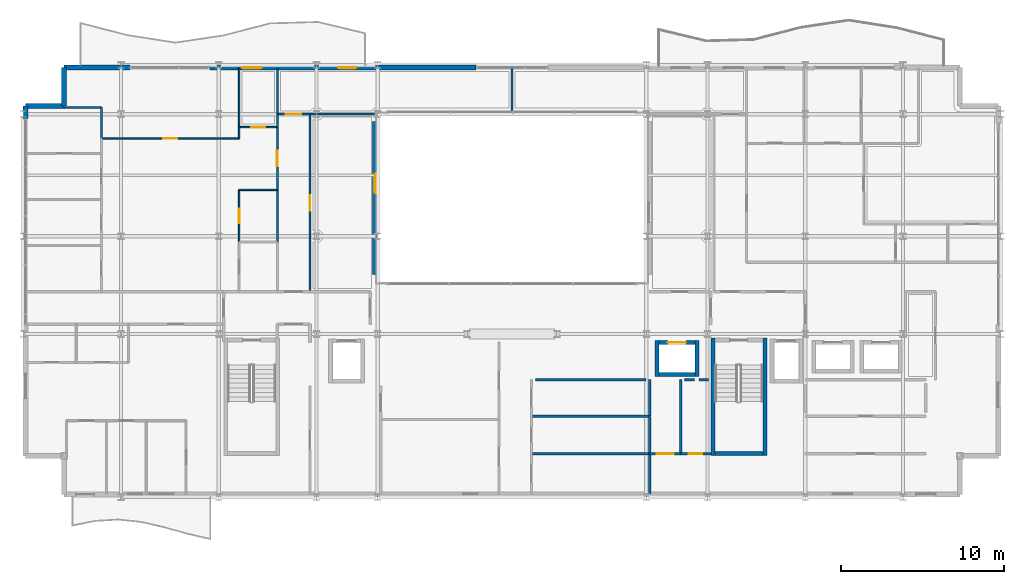
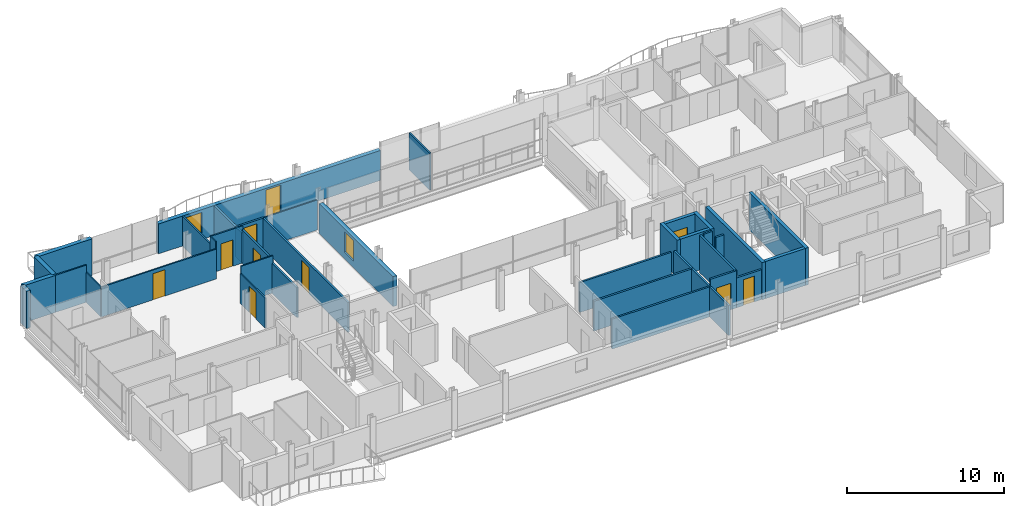
# One storey, part 30 of 35: 40 walls, 10 doors, 2 windows, 12 openings.
"""IFC4 building model written with IfcOpenShell, lengths in metres."""

from ifc_helpers import new_model, si_unit, direction, frame, frame_2d, origin, place, context, subcontext, project, spatial, rectangle, extrude, material, layer, layer_set, type_object, element, fill, save


model = new_model("IFC4")

# Units and contexts
model_context = context("Model", 3, precision=1e-05, world=origin(), true_north=direction((0.0, 1.0)))
body_context = subcontext(model_context, "Body", "Model", "MODEL_VIEW")
ifc_project = project(units=[si_unit("LENGTHUNIT", "METRE"), si_unit("AREAUNIT", "SQUARE_METRE"), si_unit("VOLUMEUNIT", "CUBIC_METRE"), si_unit("PLANEANGLEUNIT", "RADIAN"), si_unit("MASSUNIT", "GRAM", prefix="KILO")], contexts=[model_context])

# Site, building, storey
site_placement = place(None, origin())
site = spatial("IfcSite", under=ifc_project, at=site_placement, CompositionType="ELEMENT")
building_placement = place(site_placement, origin())
building = spatial("IfcBuilding", under=site, at=building_placement, Name="Brevholm Reach", CompositionType="ELEMENT")
storey_placement = place(building_placement, frame((0.0, 0.0, 183.199951171875)))
storey = spatial("IfcBuildingStorey", under=building, at=storey_placement, Name="L55", CompositionType="ELEMENT", Elevation=183.199951171875)

# Walls
ifc_material_1 = material(Name="Concrete C45/55", Category="concrete")
ifc_layer_1 = layer(ifc_material_1, 0.239990234375)
ifc_layer_set_1 = layer_set([ifc_layer_1], Name="Concrete C45/55")
wall_type_1 = type_object("IfcWallType", Name="WAL-COR-240", PredefinedType="SHEAR", material=ifc_layer_set_1)
for number, where, z_axis, x_axis, name in (
    (1, (42.330078125, 2.5400390625, 0.0), (0.0, 0.0, 1.0), (0.0, 1.0, 0.0), "L55 Escape Stair ST-2 Core Wall W"),
    (2, (45.52001953125, 2.5400390625, 0.0), (0.0, 0.0, 1.0), (0.0, 1.0, 0.0), "L55 Escape Stair ST-2 Core Wall E"),
):
    element("IfcWall", number, at=place(storey_placement, frame(where, z_axis=z_axis, x_axis=x_axis)), inside=storey, type_object=wall_type_1, Name=name, PredefinedType="SHEAR", context=body_context, shape_type="SweptSolid", body=[
        extrude(rectangle(XDim=7.199951171875, YDim=0.239990234375, at=frame_2d((3.60009765625, 0.0))), origin(), (0.0, 0.0, 1.0), 2.89013671875),
    ])
wall_1_placement = place(storey_placement, frame((42.449951171875, 2.659912109375, 0.0), z_axis=(0.0, 0.0, 1.0), x_axis=(1.0, 0.0, 0.0)))
element("IfcWall", 3, at=wall_1_placement, inside=storey, type_object=wall_type_1, Name="L55 Escape Stair ST-2 Core Wall S", PredefinedType="SHEAR", context=body_context, shape_type="SweptSolid", body=[
    extrude(rectangle(XDim=2.949951171875, YDim=0.239990234375, at=frame_2d((1.47509765625, 0.0))), origin(), (0.0, 0.0, 1.0), 2.89013671875),
])
for number, where, z_axis, x_axis, name in (
    (4, (38.889892578125, 7.39990234375, 0.0), (0.0, 0.0, 1.0), (0.0, 1.0, 0.0), "L55 Lift PL-S1 Shaft Wall W"),
    (5, (41.35009765625, 7.39990234375, 0.0), (0.0, 0.0, 1.0), (0.0, 1.0, 0.0), "L55 Lift PL-S1 Shaft Wall E"),
):
    element("IfcWall", number, at=place(storey_placement, frame(where, z_axis=z_axis, x_axis=x_axis)), inside=storey, type_object=wall_type_1, Name=name, PredefinedType="SHEAR", context=body_context, shape_type="SweptSolid", body=[
        extrude(rectangle(XDim=2.2001953125, YDim=0.239990234375, at=frame_2d((1.10009765625, 0.0))), origin(), (0.0, 0.0, 1.0), 2.89013671875),
    ])
wall_2_placement = place(storey_placement, frame((39.010009765625, 7.52001953125, 0.0), z_axis=(0.0, 0.0, 1.0), x_axis=(1.0, 0.0, 0.0)))
element("IfcWall", 6, at=wall_2_placement, inside=storey, type_object=wall_type_1, Name="L55 Lift PL-S1 Shaft Wall S", PredefinedType="SHEAR", context=body_context, shape_type="SweptSolid", body=[
    extrude(rectangle(XDim=2.219970703125, YDim=0.239990234375, at=frame_2d((1.10986328125, 0.0))), origin(), (0.0, 0.0, 1.0), 2.89013671875),
])

# Wall, opening, door
wall_3_placement = place(storey_placement, frame((39.010009765625, 9.47998046875, 0.0), z_axis=(0.0, 0.0, 1.0), x_axis=(1.0, 0.0, 0.0)))
wall_3 = element("IfcWall", 7, at=wall_3_placement, inside=storey, type_object=wall_type_1, Name="L55 Lift PL-S1 Shaft Wall N", PredefinedType="SHEAR", context=body_context, shape_type="SweptSolid", body=[
    extrude(rectangle(XDim=2.219970703125, YDim=0.239990234375, at=frame_2d((1.10986328125, 0.0))), origin(), (0.0, 0.0, 1.0), 2.89013671875),
])
opening_1_placement = place(wall_3_placement, frame((0.56005859375, 0.0, 0.0)))
opening_1 = element("IfcOpeningElement", 8, at=opening_1_placement, cuts=wall_3, Name="Opening LD-PL-S1", PredefinedType="OPENING", context=body_context, shape_type="SweptSolid", body=[
    extrude(rectangle(XDim=1.10009765625, YDim=2.06005859375, at=frame_2d((0.550048828125, 1.030029296875))), frame((0.0, 0.1298828125, 0.0), z_axis=(0.0, -1.0, 0.0), x_axis=(1.0, 0.0, 0.0)), (0.0, 0.0, 1.0), 0.260009765625),
])
ifc_material_2 = material(Name="Brushed Stainless Steel Fire-Rated Sliding Lift Door", Category="steel")
door_type_1 = type_object("IfcDoorType", Name="DOR-LFT-1100", OperationType="NOTDEFINED", PredefinedType="DOOR", material=ifc_material_2)
door_1_placement = place(opening_1_placement, origin())
door_1 = element("IfcDoor", 9, at=door_1_placement, inside=storey, type_object=door_type_1, Name="L55 Lift PL-S1 Sliding Landing Door", OperationType="SLIDING_TO_LEFT", OverallHeight=2.06005859375, OverallWidth=1.10009765625, PredefinedType="DOOR", context=body_context, shape_type="SweptSolid", body=[
    extrude(rectangle(XDim=1.10009765625, YDim=2.06005859375, at=frame_2d((0.550048828125, 1.030029296875))), frame((0.0, 0.02490234375, 0.0), z_axis=(0.0, -1.0, 0.0), x_axis=(1.0, 0.0, 0.0)), (0.0, 0.0, 1.0), 0.050048828125),
])
fill(opening_1, door_1)

# Walls
ifc_material_3 = material(Name="Concrete C40/50", Category="concrete")
ifc_layer_2 = layer(ifc_material_3, 0.300048828125)
ifc_layer_set_2 = layer_set([ifc_layer_2], Name="Concrete C40/50")
wall_type_2 = type_object("IfcWallType", Name="WAL-EXT-300", PredefinedType="STANDARD", material=ifc_layer_set_2)
for number, where, z_axis, x_axis, name in (
    (10, (2.5, 26.35009765625, 0.0), (0.0, 0.0, 1.0), (0.0, -1.0, 0.0), "L55 Facade Wall WAL-L55-CNW1"),
    (11, (2.5, 24.0, 0.0), (0.0, 0.0, 1.0), (-1.0, 0.0, 0.0), "L55 Facade Wall WAL-L55-CNW2"),
):
    element("IfcWall", number, at=place(storey_placement, frame(where, z_axis=z_axis, x_axis=x_axis)), inside=storey, type_object=wall_type_2, Name=name, PredefinedType="STANDARD", context=body_context, shape_type="SweptSolid", body=[
        extrude(rectangle(XDim=2.35009765625, YDim=0.300048828125, at=frame_2d((1.175048828125, 0.0))), origin(), (0.0, 0.0, 1.0), 2.89013671875),
    ])
wall_4_placement = place(storey_placement, frame((0.14990234375, 24.0, 0.0), z_axis=(0.0, 0.0, 1.0), x_axis=(0.0, -1.0, 0.0)))
element("IfcWall", 12, at=wall_4_placement, inside=storey, type_object=wall_type_2, Name="L55 Facade Wall WAL-L55-W-N", PredefinedType="STANDARD", context=body_context, shape_type="SweptSolid", body=[
    extrude(rectangle(XDim=0.780029296875, YDim=0.300048828125, at=frame_2d((0.39013671875, 0.0))), origin(), (0.0, 0.0, 1.0), 2.89013671875),
])
wall_5_placement = place(storey_placement, frame((2.5, 26.35009765625, 0.0), z_axis=(0.0, 0.0, 1.0), x_axis=(1.0, 0.0, 0.0)))
element("IfcWall", 13, at=wall_5_placement, inside=storey, type_object=wall_type_2, Name="L55 Facade Wall WAL-L55-NP-W0", PredefinedType="STANDARD", context=body_context, shape_type="SweptSolid", body=[
    extrude(rectangle(XDim=4.050048828125, YDim=0.300048828125, at=frame_2d((2.02490234375, 0.0))), origin(), (0.0, 0.0, 1.0), 2.89013671875),
])

# Wall, openings, door, window
wall_6_placement = place(storey_placement, frame((11.449951171875, 26.35009765625, 0.0), z_axis=(0.0, 0.0, 1.0), x_axis=(1.0, 0.0, 0.0)))
wall_6 = element("IfcWall", 14, at=wall_6_placement, inside=storey, type_object=wall_type_2, Name="L55 Facade Wall WAL-L55-NP-WL", PredefinedType="STANDARD", context=body_context, shape_type="SweptSolid", body=[
    extrude(rectangle(XDim=16.35009765625, YDim=0.300048828125, at=frame_2d((8.175048828125, 0.0))), origin(), (0.0, 0.0, 1.0), 2.33203125),
])
opening_2_placement = place(wall_6_placement, frame((7.89794921875, 0.0, 0.0)))
opening_2 = element("IfcOpeningElement", 15, at=opening_2_placement, cuts=wall_6, Name="Opening BD-01", PredefinedType="OPENING", context=body_context, shape_type="SweptSolid", body=[
    extrude(rectangle(XDim=1.10009765625, YDim=2.199951171875, at=frame_2d((0.550048828125, 1.10009765625))), frame((0.0, 0.159912109375, 0.0), z_axis=(0.0, -1.0, 0.0), x_axis=(1.0, 0.0, 0.0)), (0.0, 0.0, 1.0), 0.320068359375),
])
opening_3_placement = place(wall_6_placement, frame((1.97998046875, 0.0, 0.511962890625)))
opening_3 = element("IfcOpeningElement", 16, at=opening_3_placement, cuts=wall_6, Name="Opening WN-08", PredefinedType="OPENING", context=body_context, shape_type="SweptSolid", body=[
    extrude(rectangle(XDim=1.199951171875, YDim=1.60009765625, at=frame_2d((0.60009765625, 0.800048828125))), frame((0.0, 0.159912109375, 0.0), z_axis=(0.0, -1.0, 0.0), x_axis=(1.0, 0.0, 0.0)), (0.0, 0.0, 1.0), 0.320068359375),
])
ifc_material_4 = material(Name="Dark Anodised Aluminium and Triple-Glazed Glass", Category="aluminium")
door_type_2 = type_object("IfcDoorType", Name="DOR-BALC-1100", OperationType="NOTDEFINED", PredefinedType="DOOR", material=ifc_material_4)
door_2_placement = place(opening_2_placement, origin())
door_2 = element("IfcDoor", 17, at=door_2_placement, inside=storey, type_object=door_type_2, Name="L55 Exterior Door DOR-L55-BL-NW", OperationType="SINGLE_SWING_LEFT", OverallHeight=2.199951171875, OverallWidth=1.10009765625, PredefinedType="DOOR", context=body_context, shape_type="SweptSolid", body=[
    extrude(rectangle(XDim=1.10009765625, YDim=2.199951171875, at=frame_2d((0.550048828125, 1.10009765625))), frame((0.0, 0.02490234375, 0.0), z_axis=(0.0, -1.0, 0.0), x_axis=(1.0, 0.0, 0.0)), (0.0, 0.0, 1.0), 0.050048828125),
])
fill(opening_2, door_2)
ifc_material_5 = material(Name="Dark Anodised Aluminium and Solar-Control IGU Glass", Category="aluminium")
window_type = type_object("IfcWindowType", Name="WIN-RES-1200", PartitioningType="SINGLE_PANEL", PredefinedType="WINDOW", material=ifc_material_5)
window_1_placement = place(opening_3_placement, origin())
window_1 = element("IfcWindow", 18, at=window_1_placement, inside=storey, type_object=window_type, Name="L55 Window WIN-L55-NP-WL1", OverallHeight=1.60009765625, OverallWidth=1.199951171875, PartitioningType="SINGLE_PANEL", PredefinedType="WINDOW", context=body_context, shape_type="SweptSolid", body=[
    extrude(rectangle(XDim=1.199951171875, YDim=1.60009765625, at=frame_2d((0.60009765625, 0.800048828125))), frame((0.0, 0.030029296875, 0.0), z_axis=(0.0, -1.0, 0.0), x_axis=(1.0, 0.0, 0.0)), (0.0, 0.0, 1.0), 0.06005859375),
])
fill(opening_3, window_1)

# Wall, opening, window
wall_7_placement = place(storey_placement, frame((21.60009765625, 23.050048828125, 0.0), z_axis=(0.0, 0.0, 1.0), x_axis=(0.0, -1.0, 0.0)))
wall_7 = element("IfcWall", 19, at=wall_7_placement, inside=storey, type_object=wall_type_2, Name="L55 Facade Wall WAL-L55-AT-W", PredefinedType="STANDARD", context=body_context, shape_type="SweptSolid", body=[
    extrude(rectangle(XDim=9.400146484375, YDim=0.300048828125, at=frame_2d((4.7001953125, 0.0))), origin(), (0.0, 0.0, 1.0), 2.325439453125),
])
opening_4_placement = place(wall_7_placement, frame((3.199951171875, 0.0, 0.5)))
opening_4 = element("IfcOpeningElement", 20, at=opening_4_placement, cuts=wall_7, Name="Opening WN-08", PredefinedType="OPENING", context=body_context, shape_type="SweptSolid", body=[
    extrude(rectangle(XDim=1.199951171875, YDim=1.60009765625, at=frame_2d((0.60009765625, 0.800048828125))), frame((0.0, 0.159912109375, 0.0), z_axis=(0.0, -1.0, 0.0), x_axis=(1.0, 0.0, 0.0)), (0.0, 0.0, 1.0), 0.320068359375),
])
window_2_placement = place(opening_4_placement, origin())
window_2 = element("IfcWindow", 21, at=window_2_placement, inside=storey, type_object=window_type, Name="L55 Window WIN-L55-AT-W1", OverallHeight=1.60009765625, OverallWidth=1.199951171875, PartitioningType="SINGLE_PANEL", PredefinedType="WINDOW", context=body_context, shape_type="SweptSolid", body=[
    extrude(rectangle(XDim=1.199951171875, YDim=1.60009765625, at=frame_2d((0.60009765625, 0.800048828125))), frame((0.0, 0.030029296875, 0.0), z_axis=(0.0, -1.0, 0.0), x_axis=(1.0, 0.0, 0.0)), (0.0, 0.0, 1.0), 0.06005859375),
])
fill(opening_4, window_2)

# Wall
ifc_material_6 = material(Name="Moisture-Resistant Acoustic Gypsum Stud Partition 100 mm", Category="gypsum")
ifc_layer_3 = layer(ifc_material_6, 0.10009765625)
ifc_layer_set_3 = layer_set([ifc_layer_3], Name="Moisture-Resistant Acoustic Gypsum Stud Partition 100 mm")
wall_type_3 = type_object("IfcWallType", Name="WAL-PRT-100", PredefinedType="PARTITIONING", material=ifc_layer_set_3)
wall_8_placement = place(storey_placement, frame((13.25, 18.85009765625, 0.0), z_axis=(0.0, 0.0, 1.0), x_axis=(1.0, 0.0, 0.0)))
element("IfcWall", 22, at=wall_8_placement, inside=storey, type_object=wall_type_3, Name="L55 Internal Partition 070", PredefinedType="PARTITIONING", context=body_context, shape_type="SweptSolid", body=[
    extrude(rectangle(XDim=2.345947265625, YDim=0.10009765625, at=frame_2d((1.1728515625, 0.0))), origin(), (0.0, 0.0, 1.0), 2.89013671875),
])

# Wall, opening, door
wall_9_placement = place(storey_placement, frame((13.25, 15.654052734375, 0.0), z_axis=(0.0, 0.0, 1.0), x_axis=(0.0, 1.0, 0.0)))
wall_9 = element("IfcWall", 23, at=wall_9_placement, inside=storey, type_object=wall_type_3, Name="L55 Internal Partition 071", PredefinedType="PARTITIONING", context=body_context, shape_type="SweptSolid", body=[
    extrude(rectangle(XDim=3.196044921875, YDim=0.10009765625, at=frame_2d((1.59814453125, 0.0))), origin(), (0.0, 0.0, 1.0), 2.325439453125),
])
opening_5_placement = place(wall_9_placement, frame((1.157958984375, 0.0, 0.0)))
opening_5 = element("IfcOpeningElement", 24, at=opening_5_placement, cuts=wall_9, Name="Opening ID-01", PredefinedType="OPENING", context=body_context, shape_type="SweptSolid", body=[
    extrude(rectangle(XDim=0.8798828125, YDim=2.0400390625, at=frame_2d((0.43994140625, 1.02001953125))), frame((0.0, 0.06005859375, 0.0), z_axis=(0.0, -1.0, 0.0), x_axis=(1.0, 0.0, 0.0)), (0.0, 0.0, 1.0), 0.1201171875),
])
ifc_material_7 = material(Name="Lacquered Ash Solid-Core Acoustic Internal Door", Category="timber")
door_type_3 = type_object("IfcDoorType", Name="DOR-INT-880", OperationType="NOTDEFINED", PredefinedType="DOOR", material=ifc_material_7)
door_3_placement = place(opening_5_placement, origin())
door_3 = element("IfcDoor", 25, at=door_3_placement, inside=storey, type_object=door_type_3, Name="L55 Internal Door 033", OperationType="SINGLE_SWING_RIGHT", OverallHeight=2.0400390625, OverallWidth=0.8798828125, PredefinedType="DOOR", context=body_context, shape_type="SweptSolid", body=[
    extrude(rectangle(XDim=0.8798828125, YDim=2.0400390625, at=frame_2d((0.43994140625, 1.02001953125))), frame((0.0, 0.02490234375, 0.0), z_axis=(0.0, -1.0, 0.0), x_axis=(1.0, 0.0, 0.0)), (0.0, 0.0, 1.0), 0.050048828125),
])
fill(opening_5, door_3)

# Wall
wall_10_placement = place(storey_placement, frame((13.25, 22.699951171875, 0.0), z_axis=(0.0, 0.0, 1.0), x_axis=(0.0, 1.0, 0.0)))
element("IfcWall", 26, at=wall_10_placement, inside=storey, type_object=wall_type_3, Name="L55 Internal Partition 072", PredefinedType="PARTITIONING", context=body_context, shape_type="SweptSolid", body=[
    extrude(rectangle(XDim=3.60009765625, YDim=0.10009765625, at=frame_2d((1.800048828125, 0.0))), origin(), (0.0, 0.0, 1.0), 2.325439453125),
])

# Wall, opening, door
wall_11_placement = place(storey_placement, frame((13.25, 22.699951171875, 0.0), z_axis=(0.0, 0.0, 1.0), x_axis=(1.0, 0.0, 0.0)))
wall_11 = element("IfcWall", 27, at=wall_11_placement, inside=storey, type_object=wall_type_3, Name="L55 Internal Partition 073", PredefinedType="PARTITIONING", context=body_context, shape_type="SweptSolid", body=[
    extrude(rectangle(XDim=2.345947265625, YDim=0.10009765625, at=frame_2d((1.1728515625, 0.0))), origin(), (0.0, 0.0, 1.0), 2.89013671875),
])
opening_6_placement = place(wall_11_placement, frame((0.73291015625, 0.0, 0.0)))
opening_6 = element("IfcOpeningElement", 28, at=opening_6_placement, cuts=wall_11, Name="Opening ID-01", PredefinedType="OPENING", context=body_context, shape_type="SweptSolid", body=[
    extrude(rectangle(XDim=0.8798828125, YDim=2.0400390625, at=frame_2d((0.43994140625, 1.02001953125))), frame((0.0, 0.06005859375, 0.0), z_axis=(0.0, -1.0, 0.0), x_axis=(1.0, 0.0, 0.0)), (0.0, 0.0, 1.0), 0.1201171875),
])
door_4_placement = place(opening_6_placement, origin())
door_4 = element("IfcDoor", 29, at=door_4_placement, inside=storey, type_object=door_type_3, Name="L55 Internal Door 034", OperationType="SINGLE_SWING_LEFT", OverallHeight=2.0400390625, OverallWidth=0.8798828125, PredefinedType="DOOR", context=body_context, shape_type="SweptSolid", body=[
    extrude(rectangle(XDim=0.8798828125, YDim=2.0400390625, at=frame_2d((0.43994140625, 1.02001953125))), frame((0.0, 0.02490234375, 0.0), z_axis=(0.0, -1.0, 0.0), x_axis=(1.0, 0.0, 0.0)), (0.0, 0.0, 1.0), 0.050048828125),
])
fill(opening_6, door_4)

# Walls
wall_12_placement = place(storey_placement, frame((2.52001953125, 23.89990234375, 0.0), z_axis=(0.0, 0.0, 1.0), x_axis=(1.0, 0.0, 0.0)))
element("IfcWall", 30, at=wall_12_placement, inside=storey, type_object=wall_type_3, Name="L55 Internal Partition 081", PredefinedType="PARTITIONING", context=body_context, shape_type="SweptSolid", body=[
    extrude(rectangle(XDim=2.280029296875, YDim=0.10009765625, at=frame_2d((1.14013671875, 0.0))), origin(), (0.0, 0.0, 1.0), 2.89013671875),
])
wall_13_placement = place(storey_placement, frame((4.800048828125, 21.983642578125, 0.0), z_axis=(0.0, 0.0, 1.0), x_axis=(0.0, 1.0, 0.0)))
element("IfcWall", 31, at=wall_13_placement, inside=storey, type_object=wall_type_3, Name="L55 Internal Partition 082", PredefinedType="PARTITIONING", context=body_context, shape_type="SweptSolid", body=[
    extrude(rectangle(XDim=1.916259765625, YDim=0.10009765625, at=frame_2d((0.9580078125, 0.0))), origin(), (0.0, 0.0, 1.0), 2.325439453125),
])

# Wall, opening, door
wall_14_placement = place(storey_placement, frame((4.803955078125, 21.9951171875, 0.0), z_axis=(0.0, 0.0, 1.0), x_axis=(1.0, 0.0, 0.0)))
wall_14 = element("IfcWall", 32, at=wall_14_placement, inside=storey, type_object=wall_type_3, Name="L55 Internal Partition 084", PredefinedType="PARTITIONING", context=body_context, shape_type="SweptSolid", body=[
    extrude(rectangle(XDim=8.446044921875, YDim=0.10009765625, at=frame_2d((4.22314453125, 0.0))), origin(), (0.0, 0.0, 1.0), 2.325439453125),
])
opening_7_placement = place(wall_14_placement, frame((3.782958984375, 0.0, 0.0)))
opening_7 = element("IfcOpeningElement", 33, at=opening_7_placement, cuts=wall_14, Name="Opening ID-01", PredefinedType="OPENING", context=body_context, shape_type="SweptSolid", body=[
    extrude(rectangle(XDim=0.8798828125, YDim=2.0400390625, at=frame_2d((0.43994140625, 1.02001953125))), frame((0.0, 0.06005859375, 0.0), z_axis=(0.0, -1.0, 0.0), x_axis=(1.0, 0.0, 0.0)), (0.0, 0.0, 1.0), 0.1201171875),
])
door_5_placement = place(opening_7_placement, origin())
door_5 = element("IfcDoor", 34, at=door_5_placement, inside=storey, type_object=door_type_3, Name="L55 Internal Door 038", OperationType="SINGLE_SWING_LEFT", OverallHeight=2.0400390625, OverallWidth=0.8798828125, PredefinedType="DOOR", context=body_context, shape_type="SweptSolid", body=[
    extrude(rectangle(XDim=0.8798828125, YDim=2.0400390625, at=frame_2d((0.43994140625, 1.02001953125))), frame((0.0, 0.02490234375, 0.0), z_axis=(0.0, -1.0, 0.0), x_axis=(1.0, 0.0, 0.0)), (0.0, 0.0, 1.0), 0.050048828125),
])
fill(opening_7, door_5)

# Walls
wall_15_placement = place(storey_placement, frame((13.25, 21.9951171875, 0.0), z_axis=(0.0, 0.0, 1.0), x_axis=(0.0, 1.0, 0.0)))
element("IfcWall", 35, at=wall_15_placement, inside=storey, type_object=wall_type_3, Name="L55 Internal Partition 085", PredefinedType="PARTITIONING", context=body_context, shape_type="SweptSolid", body=[
    extrude(rectangle(XDim=0.700927734375, YDim=0.10009765625, at=frame_2d((0.3505859375, 0.0))), origin(), (0.0, 0.0, 1.0), 2.89013671875),
])
wall_16_placement = place(storey_placement, frame((17.60400390625, 23.5, 0.0), z_axis=(0.0, 0.0, 1.0), x_axis=(1.0, 0.0, 0.0)))
element("IfcWall", 36, at=wall_16_placement, inside=storey, type_object=wall_type_3, Name="L55 Internal Partition 099", PredefinedType="PARTITIONING", context=body_context, shape_type="SweptSolid", body=[
    extrude(rectangle(XDim=3.946044921875, YDim=0.10009765625, at=frame_2d((1.97314453125, 0.0))), origin(), (0.0, 0.0, 1.0), 2.325439453125),
])
wall_17_placement = place(storey_placement, frame((30.0, 23.679931640625, 0.0), z_axis=(0.0, 0.0, 1.0), x_axis=(0.0, 1.0, 0.0)))
element("IfcWall", 37, at=wall_17_placement, inside=storey, type_object=wall_type_3, Name="L55 Internal Partition 101", PredefinedType="PARTITIONING", context=body_context, shape_type="SweptSolid", body=[
    extrude(rectangle(XDim=2.6201171875, YDim=0.10009765625, at=frame_2d((1.31005859375, 0.0))), origin(), (0.0, 0.0, 1.0), 2.89013671875),
])
ifc_material_8 = material(Name="Twin-Stud Acoustic Fire-Rated Gypsum Partition 140 mm", Category="gypsum")
ifc_layer_4 = layer(ifc_material_8, 0.139892578125)
ifc_layer_set_4 = layer_set([ifc_layer_4], Name="Twin-Stud Acoustic Fire-Rated Gypsum Partition 140 mm")
wall_type_4 = type_object("IfcWallType", Name="WAL-PRT-140", PredefinedType="PARTITIONING", material=ifc_layer_set_4)
wall_18_placement = place(storey_placement, frame((31.2041015625, 2.64990234375, 0.0), z_axis=(0.0, 0.0, 1.0), x_axis=(1.0, 0.0, 0.0)))
element("IfcWall", 38, at=wall_18_placement, inside=storey, type_object=wall_type_4, Name="L55 Internal Partition 009", PredefinedType="PARTITIONING", context=body_context, shape_type="SweptSolid", body=[
    extrude(rectangle(XDim=7.245849609375, YDim=0.139892578125, at=frame_2d((3.623046875, 0.0))), origin(), (0.0, 0.0, 1.0), 2.325439453125),
])
wall_19_placement = place(storey_placement, frame((38.449951171875, 0.179931640625, 0.0), z_axis=(0.0, 0.0, 1.0), x_axis=(0.0, 1.0, 0.0)))
element("IfcWall", 39, at=wall_19_placement, inside=storey, type_object=wall_type_4, Name="L55 Internal Partition 010", PredefinedType="PARTITIONING", context=body_context, shape_type="SweptSolid", body=[
    extrude(rectangle(XDim=2.469970703125, YDim=0.139892578125, at=frame_2d((1.23486328125, 0.0))), origin(), (0.0, 0.0, 1.0), 2.325439453125),
])
wall_20_placement = place(storey_placement, frame((31.2041015625, 4.949951171875, 0.0), z_axis=(0.0, 0.0, 1.0), x_axis=(1.0, 0.0, 0.0)))
element("IfcWall", 40, at=wall_20_placement, inside=storey, type_object=wall_type_4, Name="L55 Internal Partition 011", PredefinedType="PARTITIONING", context=body_context, shape_type="SweptSolid", body=[
    extrude(rectangle(XDim=7.245849609375, YDim=0.139892578125, at=frame_2d((3.623046875, 0.0))), origin(), (0.0, 0.0, 1.0), 2.325439453125),
])
wall_21_placement = place(storey_placement, frame((38.449951171875, 2.654052734375, 0.0), z_axis=(0.0, 0.0, 1.0), x_axis=(0.0, 1.0, 0.0)))
element("IfcWall", 41, at=wall_21_placement, inside=storey, type_object=wall_type_4, Name="L55 Internal Partition 012", PredefinedType="PARTITIONING", context=body_context, shape_type="SweptSolid", body=[
    extrude(rectangle(XDim=2.2958984375, YDim=0.139892578125, at=frame_2d((1.14794921875, 0.0))), origin(), (0.0, 0.0, 1.0), 2.325439453125),
])
wall_22_placement = place(storey_placement, frame((38.449951171875, 4.9541015625, 0.0), z_axis=(0.0, 0.0, 1.0), x_axis=(0.0, 1.0, 0.0)))
element("IfcWall", 42, at=wall_22_placement, inside=storey, type_object=wall_type_4, Name="L55 Internal Partition 013", PredefinedType="PARTITIONING", context=body_context, shape_type="SweptSolid", body=[
    extrude(rectangle(XDim=2.245849609375, YDim=0.139892578125, at=frame_2d((1.123046875, 0.0))), origin(), (0.0, 0.0, 1.0), 2.325439453125),
])

# Wall, opening, door
wall_23_placement = place(storey_placement, frame((38.4541015625, 2.64990234375, 0.0), z_axis=(0.0, 0.0, 1.0), x_axis=(1.0, 0.0, 0.0)))
wall_23 = element("IfcWall", 43, at=wall_23_placement, inside=storey, type_object=wall_type_4, Name="L55 Internal Partition 015", PredefinedType="PARTITIONING", context=body_context, shape_type="SweptSolid", body=[
    extrude(rectangle(XDim=1.9072265625, YDim=0.139892578125, at=frame_2d((0.95361328125, 0.0))), origin(), (0.0, 0.0, 1.0), 2.89013671875),
])
opening_8_placement = place(wall_23_placement, frame((0.4287109375, 0.0, 0.0)))
opening_8 = element("IfcOpeningElement", 44, at=opening_8_placement, cuts=wall_23, Name="Opening FD-01", PredefinedType="OPENING", context=body_context, shape_type="SweptSolid", body=[
    extrude(rectangle(XDim=1.050048828125, YDim=2.06005859375, at=frame_2d((0.52490234375, 1.030029296875))), frame((0.0, 0.079833984375, 0.0), z_axis=(0.0, -1.0, 0.0), x_axis=(1.0, 0.0, 0.0)), (0.0, 0.0, 1.0), 0.159912109375),
])
ifc_material_9 = material(Name="Hardwood-Lipped Steel-Core Fire and Smoke Door", Category="steel")
door_type_4 = type_object("IfcDoorType", Name="DOR-INT-FD60S", OperationType="NOTDEFINED", PredefinedType="DOOR", material=ifc_material_9)
door_6_placement = place(opening_8_placement, origin())
door_6 = element("IfcDoor", 45, at=door_6_placement, inside=storey, type_object=door_type_4, Name="L55 Internal Door 008", OperationType="SINGLE_SWING_LEFT", OverallHeight=2.06005859375, OverallWidth=1.050048828125, PredefinedType="DOOR", context=body_context, shape_type="SweptSolid", body=[
    extrude(rectangle(XDim=1.050048828125, YDim=2.06005859375, at=frame_2d((0.52490234375, 1.030029296875))), frame((0.0, 0.02490234375, 0.0), z_axis=(0.0, -1.0, 0.0), x_axis=(1.0, 0.0, 0.0)), (0.0, 0.0, 1.0), 0.050048828125),
])
fill(opening_8, door_6)

wall_24_placement = place(storey_placement, frame((40.3427734375, 2.64990234375, 0.0), z_axis=(0.0, 0.0, 1.0), x_axis=(1.0, 0.0, 0.0)))
wall_24 = element("IfcWall", 46, at=wall_24_placement, inside=storey, type_object=wall_type_4, Name="L55 Internal Partition 016", PredefinedType="PARTITIONING", context=body_context, shape_type="SweptSolid", body=[
    extrude(rectangle(XDim=1.857177734375, YDim=0.139892578125, at=frame_2d((0.9287109375, 0.0))), origin(), (0.0, 0.0, 1.0), 2.325439453125),
])
opening_9_placement = place(wall_24_placement, frame((0.518798828125, 0.0, 0.0)))
opening_9 = element("IfcOpeningElement", 47, at=opening_9_placement, cuts=wall_24, Name="Opening ID-02", PredefinedType="OPENING", context=body_context, shape_type="SweptSolid", body=[
    extrude(rectangle(XDim=0.820068359375, YDim=2.02001953125, at=frame_2d((0.41015625, 1.010009765625))), frame((0.0, 0.079833984375, 0.0), z_axis=(0.0, -1.0, 0.0), x_axis=(1.0, 0.0, 0.0)), (0.0, 0.0, 1.0), 0.159912109375),
])
ifc_material_10 = material(Name="Moisture-Resistant Painted Timber Fire-Rated Riser and Service Door", Category="wood")
door_type_5 = type_object("IfcDoorType", Name="DOR-SRV-820", OperationType="NOTDEFINED", PredefinedType="DOOR", material=ifc_material_10)
door_7_placement = place(opening_9_placement, origin())
door_7 = element("IfcDoor", 48, at=door_7_placement, inside=storey, type_object=door_type_5, Name="L55 Internal Door 009", OperationType="SINGLE_SWING_RIGHT", OverallHeight=2.02001953125, OverallWidth=0.820068359375, PredefinedType="DOOR", context=body_context, shape_type="SweptSolid", body=[
    extrude(rectangle(XDim=0.820068359375, YDim=2.02001953125, at=frame_2d((0.41015625, 1.010009765625))), frame((0.0, 0.02490234375, 0.0), z_axis=(0.0, -1.0, 0.0), x_axis=(1.0, 0.0, 0.0)), (0.0, 0.0, 1.0), 0.050048828125),
])
fill(opening_9, door_7)

# Walls
wall_25_placement = place(storey_placement, frame((40.35009765625, 2.654052734375, 0.0), z_axis=(0.0, 0.0, 1.0), x_axis=(0.0, 1.0, 0.0)))
element("IfcWall", 49, at=wall_25_placement, inside=storey, type_object=wall_type_4, Name="L55 Internal Partition 022", PredefinedType="PARTITIONING", context=body_context, shape_type="SweptSolid", body=[
    extrude(rectangle(XDim=4.5458984375, YDim=0.139892578125, at=frame_2d((2.27294921875, 0.0))), origin(), (0.0, 0.0, 1.0), 2.89013671875),
])
wall_26_placement = place(storey_placement, frame((15.60009765625, 15.642578125, 0.0), z_axis=(0.0, 0.0, 1.0), x_axis=(0.0, 1.0, 0.0)))
element("IfcWall", 50, at=wall_26_placement, inside=storey, type_object=wall_type_4, Name="L55 Internal Partition 040", PredefinedType="PARTITIONING", context=body_context, shape_type="SweptSolid", body=[
    extrude(rectangle(XDim=3.21875, YDim=0.139892578125, at=frame_2d((1.609375, 0.0))), origin(), (0.0, 0.0, 1.0), 2.325439453125),
])
wall_27_placement = place(storey_placement, frame((15.60009765625, 22.688720703125, 0.0), z_axis=(0.0, 0.0, 1.0), x_axis=(0.0, 1.0, 0.0)))
element("IfcWall", 51, at=wall_27_placement, inside=storey, type_object=wall_type_4, Name="L55 Internal Partition 041", PredefinedType="PARTITIONING", context=body_context, shape_type="SweptSolid", body=[
    extrude(rectangle(XDim=0.811279296875, YDim=0.139892578125, at=frame_2d((0.40576171875, 0.0))), origin(), (0.0, 0.0, 1.0), 2.325439453125),
])

# Wall, opening, door
wall_28_placement = place(storey_placement, frame((15.60009765625, 18.8427734375, 0.0), z_axis=(0.0, 0.0, 1.0), x_axis=(0.0, 1.0, 0.0)))
wall_28 = element("IfcWall", 52, at=wall_28_placement, inside=storey, type_object=wall_type_4, Name="L55 Internal Partition 042", PredefinedType="PARTITIONING", context=body_context, shape_type="SweptSolid", body=[
    extrude(rectangle(XDim=3.864501953125, YDim=0.139892578125, at=frame_2d((1.93212890625, 0.0))), origin(), (0.0, 0.0, 1.0), 2.61376953125),
])
opening_10_placement = place(wall_28_placement, frame((1.457275390625, 0.0, 0.0)))
opening_10 = element("IfcOpeningElement", 53, at=opening_10_placement, cuts=wall_28, Name="Opening ID-30", PredefinedType="OPENING", context=body_context, shape_type="SweptSolid", body=[
    extrude(rectangle(XDim=0.949951171875, YDim=2.050048828125, at=frame_2d((0.47509765625, 1.02490234375))), frame((0.0, 0.079833984375, 0.0), z_axis=(0.0, -1.0, 0.0), x_axis=(1.0, 0.0, 0.0)), (0.0, 0.0, 1.0), 0.159912109375),
])
ifc_material_11 = material(Name="European Oak Veneered Solid-Core Fire Entrance Door", Category="timber")
door_type_6 = type_object("IfcDoorType", Name="DOR-FLT-FD30S", OperationType="NOTDEFINED", PredefinedType="DOOR", material=ifc_material_11)
door_8_placement = place(opening_10_placement, origin())
door_8 = element("IfcDoor", 54, at=door_8_placement, inside=storey, type_object=door_type_6, Name="L55 Internal Door 021", OperationType="SINGLE_SWING_RIGHT", OverallHeight=2.050048828125, OverallWidth=0.949951171875, PredefinedType="DOOR", context=body_context, shape_type="SweptSolid", body=[
    extrude(rectangle(XDim=0.949951171875, YDim=2.050048828125, at=frame_2d((0.47509765625, 1.02490234375))), frame((0.0, 0.02490234375, 0.0), z_axis=(0.0, -1.0, 0.0), x_axis=(1.0, 0.0, 0.0)), (0.0, 0.0, 1.0), 0.050048828125),
])
fill(opening_10, door_8)

wall_29_placement = place(storey_placement, frame((17.60009765625, 12.60400390625, 0.0), z_axis=(0.0, 0.0, 1.0), x_axis=(0.0, 1.0, 0.0)))
wall_29 = element("IfcWall", 55, at=wall_29_placement, inside=storey, type_object=wall_type_4, Name="L55 Internal Partition 043", PredefinedType="PARTITIONING", context=body_context, shape_type="SweptSolid", body=[
    extrude(rectangle(XDim=10.89599609375, YDim=0.139892578125, at=frame_2d((5.447998046875, 0.0))), origin(), (0.0, 0.0, 1.0), 2.325439453125),
])
opening_11_placement = place(wall_29_placement, frame((4.972900390625, 0.0, 0.0)))
opening_11 = element("IfcOpeningElement", 56, at=opening_11_placement, cuts=wall_29, Name="Opening ID-30", PredefinedType="OPENING", context=body_context, shape_type="SweptSolid", body=[
    extrude(rectangle(XDim=0.949951171875, YDim=2.050048828125, at=frame_2d((0.47509765625, 1.02490234375))), frame((0.0, 0.079833984375, 0.0), z_axis=(0.0, -1.0, 0.0), x_axis=(1.0, 0.0, 0.0)), (0.0, 0.0, 1.0), 0.159912109375),
])
door_9_placement = place(opening_11_placement, origin())
door_9 = element("IfcDoor", 57, at=door_9_placement, inside=storey, type_object=door_type_6, Name="L55 Internal Door 022", OperationType="SINGLE_SWING_LEFT", OverallHeight=2.050048828125, OverallWidth=0.949951171875, PredefinedType="DOOR", context=body_context, shape_type="SweptSolid", body=[
    extrude(rectangle(XDim=0.949951171875, YDim=2.050048828125, at=frame_2d((0.47509765625, 1.02490234375))), frame((0.0, 0.02490234375, 0.0), z_axis=(0.0, -1.0, 0.0), x_axis=(1.0, 0.0, 0.0)), (0.0, 0.0, 1.0), 0.050048828125),
])
fill(opening_11, door_9)

wall_30_placement = place(storey_placement, frame((15.60009765625, 23.5, 0.0), z_axis=(0.0, 0.0, 1.0), x_axis=(1.0, 0.0, 0.0)))
wall_30 = element("IfcWall", 58, at=wall_30_placement, inside=storey, type_object=wall_type_4, Name="L55 Internal Partition 044", PredefinedType="PARTITIONING", context=body_context, shape_type="SweptSolid", body=[
    extrude(rectangle(XDim=2.0, YDim=0.139892578125, at=frame_2d((1.0, 0.0))), origin(), (0.0, 0.0, 1.0), 2.325439453125),
])
opening_12_placement = place(wall_30_placement, frame((0.52490234375, 0.0, 0.0)))
opening_12 = element("IfcOpeningElement", 59, at=opening_12_placement, cuts=wall_30, Name="Opening ID-30", PredefinedType="OPENING", context=body_context, shape_type="SweptSolid", body=[
    extrude(rectangle(XDim=0.949951171875, YDim=2.050048828125, at=frame_2d((0.47509765625, 1.02490234375))), frame((0.0, 0.079833984375, 0.0), z_axis=(0.0, -1.0, 0.0), x_axis=(1.0, 0.0, 0.0)), (0.0, 0.0, 1.0), 0.159912109375),
])
door_10_placement = place(opening_12_placement, origin())
door_10 = element("IfcDoor", 60, at=door_10_placement, inside=storey, type_object=door_type_6, Name="L55 Internal Door 023", OperationType="SINGLE_SWING_RIGHT", OverallHeight=2.050048828125, OverallWidth=0.949951171875, PredefinedType="DOOR", context=body_context, shape_type="SweptSolid", body=[
    extrude(rectangle(XDim=0.949951171875, YDim=2.050048828125, at=frame_2d((0.47509765625, 1.02490234375))), frame((0.0, 0.02490234375, 0.0), z_axis=(0.0, -1.0, 0.0), x_axis=(1.0, 0.0, 0.0)), (0.0, 0.0, 1.0), 0.050048828125),
])
fill(opening_12, door_10)

# Walls
wall_31_placement = place(storey_placement, frame((15.60009765625, 23.50390625, 0.0), z_axis=(0.0, 0.0, 1.0), x_axis=(0.0, 1.0, 0.0)))
element("IfcWall", 61, at=wall_31_placement, inside=storey, type_object=wall_type_4, Name="L55 Internal Partition 074", PredefinedType="PARTITIONING", context=body_context, shape_type="SweptSolid", body=[
    extrude(rectangle(XDim=2.796142578125, YDim=0.139892578125, at=frame_2d((1.39794921875, 0.0))), origin(), (0.0, 0.0, 1.0), 2.325439453125),
])
wall_32_placement = place(storey_placement, frame((31.43994140625, 7.199951171875, 0.0), z_axis=(0.0, 0.0, 1.0), x_axis=(1.0, 0.0, 0.0)))
element("IfcWall", 62, at=wall_32_placement, inside=storey, type_object=wall_type_4, Name="L55 Internal Partition 102", PredefinedType="PARTITIONING", context=body_context, shape_type="SweptSolid", body=[
    extrude(rectangle(XDim=6.77001953125, YDim=0.139892578125, at=frame_2d((3.385009765625, 0.0))), origin(), (0.0, 0.0, 1.0), 2.325439453125),
])
wall_33_placement = place(storey_placement, frame((41.482666015625, 7.199951171875, 0.0), z_axis=(0.0, 0.0, 1.0), x_axis=(1.0, 0.0, 0.0)))
element("IfcWall", 63, at=wall_33_placement, inside=storey, type_object=wall_type_4, Name="L55 Internal Partition 103", PredefinedType="PARTITIONING", context=body_context, shape_type="SweptSolid", body=[
    extrude(rectangle(XDim=0.577392578125, YDim=0.139892578125, at=frame_2d((0.28857421875, 0.0))), origin(), (0.0, 0.0, 1.0), 2.325439453125),
])
wall_34_placement = place(storey_placement, frame((40.590087890625, 7.199951171875, 0.0), z_axis=(0.0, 0.0, 1.0), x_axis=(1.0, 0.0, 0.0)))
element("IfcWall", 64, at=wall_34_placement, inside=storey, type_object=wall_type_4, Name="L55 Internal Partition 104", PredefinedType="PARTITIONING", context=body_context, shape_type="SweptSolid", body=[
    extrude(rectangle(XDim=0.627197265625, YDim=0.139892578125, at=frame_2d((0.3134765625, 0.0))), origin(), (0.0, 0.0, 1.0), 2.89013671875),
])

save(model, "model.ifc")
